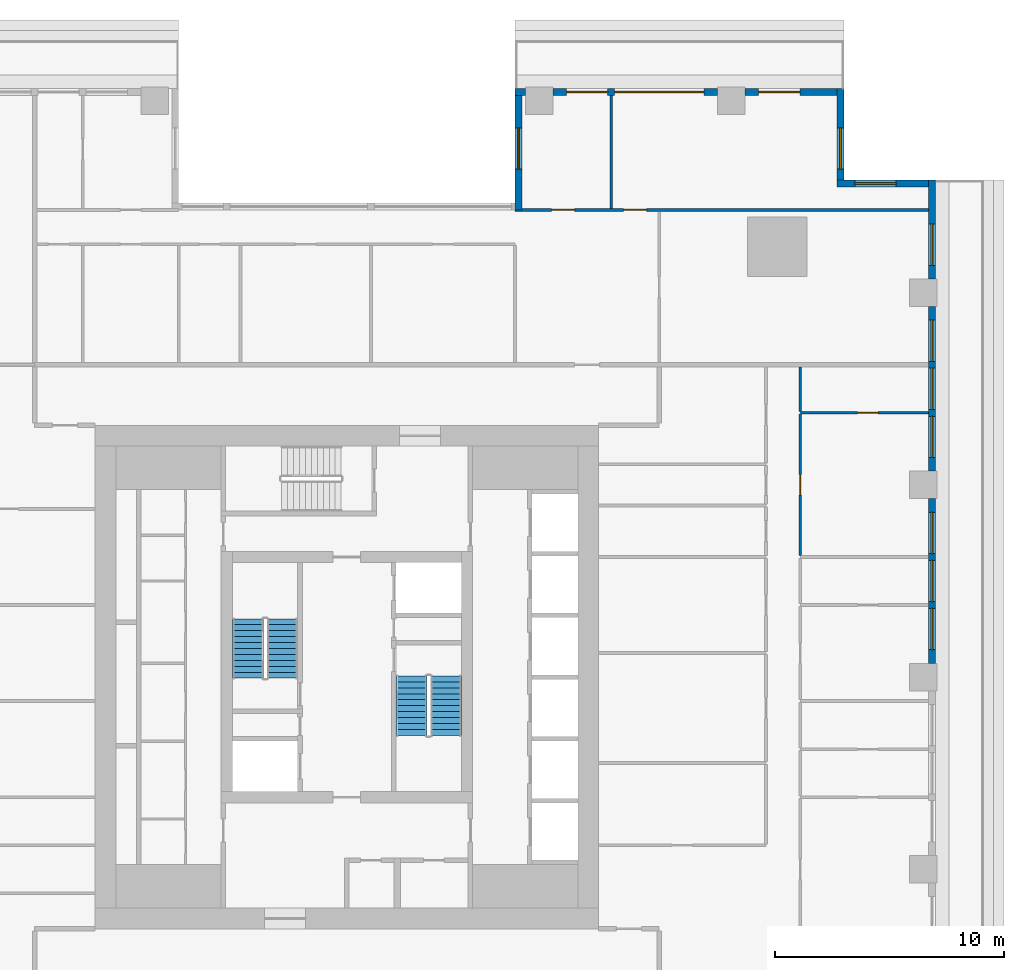
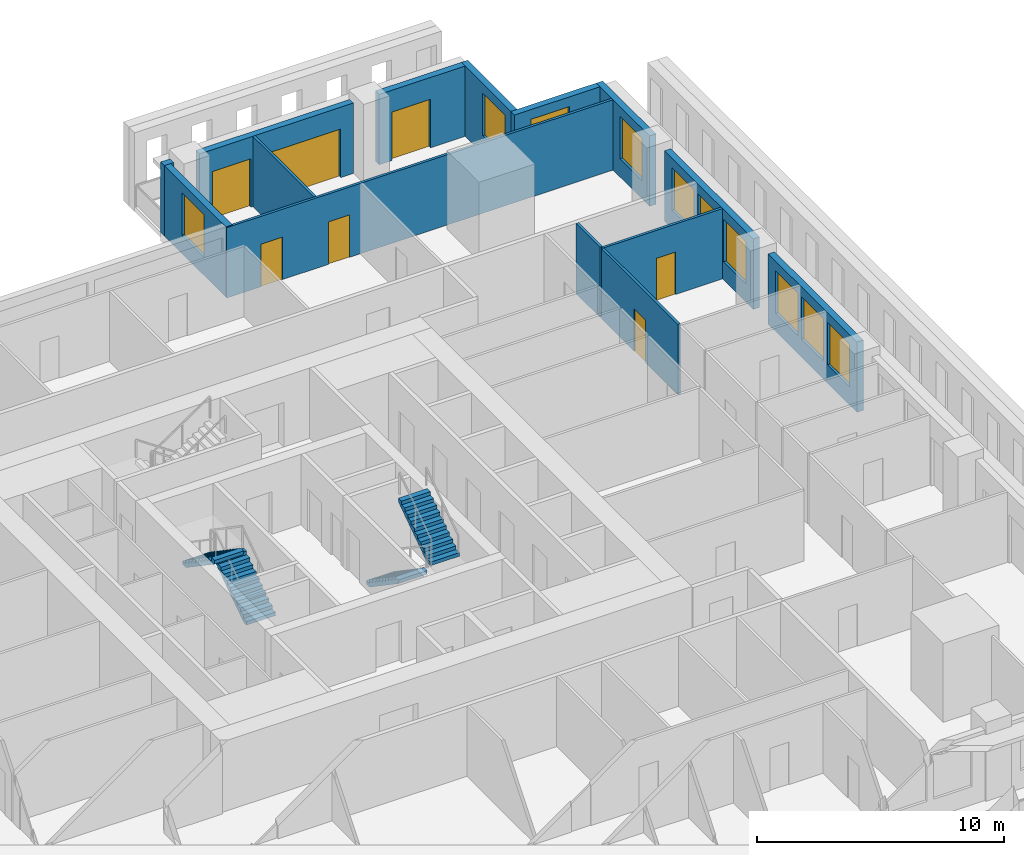
# One storey, part 9 of 16: 14 walls, 10 windows, 7 doors, 4 stair flights, 17 openings, 2 elements without a shape of their own.
"""IFC4 building model written with IfcOpenShell, lengths in metres."""

from ifc_helpers import new_model, si_unit, direction, frame, frame_2d, origin, place, context, subcontext, project, spatial, polyline, rectangle, outline, extrude, material, layer, layer_set, type_object, element, fill, aggregate, save


model = new_model("IFC4")

# Units and contexts
model_context = context("Model", 3, precision=1e-05, world=origin(), true_north=direction((0.0, 1.0)))
body_context = subcontext(model_context, "Body", "Model", "MODEL_VIEW")
ifc_project = project(units=[si_unit("LENGTHUNIT", "METRE"), si_unit("AREAUNIT", "SQUARE_METRE"), si_unit("VOLUMEUNIT", "CUBIC_METRE"), si_unit("PLANEANGLEUNIT", "RADIAN"), si_unit("MASSUNIT", "GRAM", prefix="KILO")], contexts=[model_context])

# Site, building, storey
site_placement = place(None, origin())
site = spatial("IfcSite", under=ifc_project, at=site_placement, CompositionType="ELEMENT")
building_placement = place(site_placement, origin())
building = spatial("IfcBuilding", under=site, at=building_placement, Name="Khepri Terraces", CompositionType="ELEMENT")
storey_placement = place(building_placement, frame((0.0, 0.0, 153.300048828125)))
storey = spatial("IfcBuildingStorey", under=building, at=storey_placement, Name="L36", CompositionType="ELEMENT", Elevation=153.300048828125)

# Wall, openings, windows
ifc_material_1 = material(Name="Precast concrete C50/60 warm stone", Category="masonry")
ifc_layer_1 = layer(ifc_material_1, 0.300048828125, Name="Precast concrete C50/60 warm stone", Category="masonry")
ifc_layer_set_1 = layer_set([ifc_layer_1], Name="Precast concrete C50/60 warm stone")
wall_type_1 = type_object("IfcWallType", Name="WL-EXT-PRECAST-300", PredefinedType="STANDARD", material=ifc_layer_set_1)
wall_1_placement = place(storey_placement, frame((25.570068359375, 0.60009765625, 0.0), z_axis=(0.0, 0.0, 1.0), x_axis=(0.0, 1.0, 0.0)))
wall_1 = element("IfcWall", 1, at=wall_1_placement, inside=storey, type_object=wall_type_1, Name="External wall L36 E", PredefinedType="STANDARD", context=body_context, shape_type="SweptSolid", body=[
    extrude(rectangle(XDim=7.199951171875, YDim=0.300048828125, at=frame_2d((3.60009765625, 0.0))), origin(), (0.0, 0.0, 1.0), 3.47998046875),
])
opening_1_placement = place(wall_1_placement, frame((0.60009765625, 0.0, 0.89990234375)))
opening_1 = element("IfcOpeningElement", 2, at=opening_1_placement, cuts=wall_1, Name="Opening W1", PredefinedType="OPENING", context=body_context, shape_type="SweptSolid", body=[
    extrude(rectangle(XDim=1.800048828125, YDim=2.10009765625, at=frame_2d((0.89990234375, 1.050048828125))), frame((0.0, 0.16015625, 0.0), z_axis=(0.0, -1.0, 0.0), x_axis=(1.0, 0.0, 0.0)), (0.0, 0.0, 1.0), 0.320068359375),
])
opening_2_placement = place(wall_1_placement, frame((2.699951171875, 0.0, 0.89990234375)))
opening_2 = element("IfcOpeningElement", 3, at=opening_2_placement, cuts=wall_1, Name="Opening W1", PredefinedType="OPENING", context=body_context, shape_type="SweptSolid", body=[
    extrude(rectangle(XDim=1.800048828125, YDim=2.10009765625, at=frame_2d((0.89990234375, 1.050048828125))), frame((0.0, 0.16015625, 0.0), z_axis=(0.0, -1.0, 0.0), x_axis=(1.0, 0.0, 0.0)), (0.0, 0.0, 1.0), 0.320068359375),
])
opening_3_placement = place(wall_1_placement, frame((4.800048828125, 0.0, 0.89990234375)))
opening_3 = element("IfcOpeningElement", 4, at=opening_3_placement, cuts=wall_1, Name="Opening W1", PredefinedType="OPENING", context=body_context, shape_type="SweptSolid", body=[
    extrude(rectangle(XDim=1.800048828125, YDim=2.10009765625, at=frame_2d((0.89990234375, 1.050048828125))), frame((0.0, 0.16015625, 0.0), z_axis=(0.0, -1.0, 0.0), x_axis=(1.0, 0.0, 0.0)), (0.0, 0.0, 1.0), 0.320068359375),
])
ifc_material_2 = material(Name="Clear glass", Category="glass")
window_type = type_object("IfcWindowType", Name="WIN-RES-1800x2100", PartitioningType="SINGLE_PANEL", PredefinedType="WINDOW", material=ifc_material_2)
window_1_placement = place(opening_1_placement, origin())
window_1 = element("IfcWindow", 5, at=window_1_placement, inside=storey, type_object=window_type, Name="Window L36 E", OverallHeight=2.10009765625, OverallWidth=1.800048828125, PartitioningType="SINGLE_PANEL", PredefinedType="WINDOW", context=body_context, shape_type="SweptSolid", body=[
    extrude(rectangle(XDim=1.800048828125, YDim=2.10009765625, at=frame_2d((0.89990234375, 1.050048828125))), frame((0.0, 0.030029296875, 0.0), z_axis=(0.0, -1.0, 0.0), x_axis=(1.0, 0.0, 0.0)), (0.0, 0.0, 1.0), 0.06005859375),
])
fill(opening_1, window_1)
window_2_placement = place(opening_2_placement, origin())
window_2 = element("IfcWindow", 6, at=window_2_placement, inside=storey, type_object=window_type, Name="Window L36 E", OverallHeight=2.10009765625, OverallWidth=1.800048828125, PartitioningType="SINGLE_PANEL", PredefinedType="WINDOW", context=body_context, shape_type="SweptSolid", body=[
    extrude(rectangle(XDim=1.800048828125, YDim=2.10009765625, at=frame_2d((0.89990234375, 1.050048828125))), frame((0.0, 0.030029296875, 0.0), z_axis=(0.0, -1.0, 0.0), x_axis=(1.0, 0.0, 0.0)), (0.0, 0.0, 1.0), 0.06005859375),
])
fill(opening_2, window_2)
window_3_placement = place(opening_3_placement, origin())
window_3 = element("IfcWindow", 7, at=window_3_placement, inside=storey, type_object=window_type, Name="Window L36 E", OverallHeight=2.10009765625, OverallWidth=1.800048828125, PartitioningType="SINGLE_PANEL", PredefinedType="WINDOW", context=body_context, shape_type="SweptSolid", body=[
    extrude(rectangle(XDim=1.800048828125, YDim=2.10009765625, at=frame_2d((0.89990234375, 1.050048828125))), frame((0.0, 0.030029296875, 0.0), z_axis=(0.0, -1.0, 0.0), x_axis=(1.0, 0.0, 0.0)), (0.0, 0.0, 1.0), 0.06005859375),
])
fill(opening_3, window_3)

wall_2_placement = place(storey_placement, frame((25.570068359375, 9.0, 0.0), z_axis=(0.0, 0.0, 1.0), x_axis=(0.0, 1.0, 0.0)))
wall_2 = element("IfcWall", 8, at=wall_2_placement, inside=storey, type_object=wall_type_1, Name="External wall L36 E", PredefinedType="STANDARD", context=body_context, shape_type="SweptSolid", body=[
    extrude(rectangle(XDim=7.199951171875, YDim=0.300048828125, at=frame_2d((3.60009765625, 0.0))), origin(), (0.0, 0.0, 1.0), 3.47998046875),
])
opening_4_placement = place(wall_2_placement, frame((0.60009765625, 0.0, 0.89990234375)))
opening_4 = element("IfcOpeningElement", 9, at=opening_4_placement, cuts=wall_2, Name="Opening W1", PredefinedType="OPENING", context=body_context, shape_type="SweptSolid", body=[
    extrude(rectangle(XDim=1.800048828125, YDim=2.10009765625, at=frame_2d((0.89990234375, 1.050048828125))), frame((0.0, 0.16015625, 0.0), z_axis=(0.0, -1.0, 0.0), x_axis=(1.0, 0.0, 0.0)), (0.0, 0.0, 1.0), 0.320068359375),
])
opening_5_placement = place(wall_2_placement, frame((2.699951171875, 0.0, 0.89990234375)))
opening_5 = element("IfcOpeningElement", 10, at=opening_5_placement, cuts=wall_2, Name="Opening W1", PredefinedType="OPENING", context=body_context, shape_type="SweptSolid", body=[
    extrude(rectangle(XDim=1.800048828125, YDim=2.10009765625, at=frame_2d((0.89990234375, 1.050048828125))), frame((0.0, 0.16015625, 0.0), z_axis=(0.0, -1.0, 0.0), x_axis=(1.0, 0.0, 0.0)), (0.0, 0.0, 1.0), 0.320068359375),
])
opening_6_placement = place(wall_2_placement, frame((4.800048828125, 0.0, 0.89990234375)))
opening_6 = element("IfcOpeningElement", 11, at=opening_6_placement, cuts=wall_2, Name="Opening W1", PredefinedType="OPENING", context=body_context, shape_type="SweptSolid", body=[
    extrude(rectangle(XDim=1.800048828125, YDim=2.10009765625, at=frame_2d((0.89990234375, 1.050048828125))), frame((0.0, 0.16015625, 0.0), z_axis=(0.0, -1.0, 0.0), x_axis=(1.0, 0.0, 0.0)), (0.0, 0.0, 1.0), 0.320068359375),
])
window_4_placement = place(opening_4_placement, origin())
window_4 = element("IfcWindow", 12, at=window_4_placement, inside=storey, type_object=window_type, Name="Window L36 E", OverallHeight=2.10009765625, OverallWidth=1.800048828125, PartitioningType="SINGLE_PANEL", PredefinedType="WINDOW", context=body_context, shape_type="SweptSolid", body=[
    extrude(rectangle(XDim=1.800048828125, YDim=2.10009765625, at=frame_2d((0.89990234375, 1.050048828125))), frame((0.0, 0.030029296875, 0.0), z_axis=(0.0, -1.0, 0.0), x_axis=(1.0, 0.0, 0.0)), (0.0, 0.0, 1.0), 0.06005859375),
])
fill(opening_4, window_4)
window_5_placement = place(opening_5_placement, origin())
window_5 = element("IfcWindow", 13, at=window_5_placement, inside=storey, type_object=window_type, Name="Window L36 E", OverallHeight=2.10009765625, OverallWidth=1.800048828125, PartitioningType="SINGLE_PANEL", PredefinedType="WINDOW", context=body_context, shape_type="SweptSolid", body=[
    extrude(rectangle(XDim=1.800048828125, YDim=2.10009765625, at=frame_2d((0.89990234375, 1.050048828125))), frame((0.0, 0.030029296875, 0.0), z_axis=(0.0, -1.0, 0.0), x_axis=(1.0, 0.0, 0.0)), (0.0, 0.0, 1.0), 0.06005859375),
])
fill(opening_5, window_5)
window_6_placement = place(opening_6_placement, origin())
window_6 = element("IfcWindow", 14, at=window_6_placement, inside=storey, type_object=window_type, Name="Window L36 E", OverallHeight=2.10009765625, OverallWidth=1.800048828125, PartitioningType="SINGLE_PANEL", PredefinedType="WINDOW", context=body_context, shape_type="SweptSolid", body=[
    extrude(rectangle(XDim=1.800048828125, YDim=2.10009765625, at=frame_2d((0.89990234375, 1.050048828125))), frame((0.0, 0.030029296875, 0.0), z_axis=(0.0, -1.0, 0.0), x_axis=(1.0, 0.0, 0.0)), (0.0, 0.0, 1.0), 0.06005859375),
])
fill(opening_6, window_6)

# Wall, opening, window
wall_3_placement = place(storey_placement, frame((25.570068359375, 17.39990234375, 0.0), z_axis=(0.0, 0.0, 1.0), x_axis=(0.0, 1.0, 0.0)))
wall_3 = element("IfcWall", 15, at=wall_3_placement, inside=storey, type_object=wall_type_1, Name="External wall L36 E", PredefinedType="STANDARD", context=body_context, shape_type="SweptSolid", body=[
    extrude(rectangle(XDim=4.320068359375, YDim=0.300048828125, at=frame_2d((2.16015625, 0.0))), origin(), (0.0, 0.0, 1.0), 3.47998046875),
])
opening_7_placement = place(wall_3_placement, frame((0.60009765625, 0.0, 0.89990234375)))
opening_7 = element("IfcOpeningElement", 16, at=opening_7_placement, cuts=wall_3, Name="Opening W1", PredefinedType="OPENING", context=body_context, shape_type="SweptSolid", body=[
    extrude(rectangle(XDim=1.800048828125, YDim=2.10009765625, at=frame_2d((0.89990234375, 1.050048828125))), frame((0.0, 0.16015625, 0.0), z_axis=(0.0, -1.0, 0.0), x_axis=(1.0, 0.0, 0.0)), (0.0, 0.0, 1.0), 0.320068359375),
])
window_7_placement = place(opening_7_placement, origin())
window_7 = element("IfcWindow", 17, at=window_7_placement, inside=storey, type_object=window_type, Name="Window L36 E", OverallHeight=2.10009765625, OverallWidth=1.800048828125, PartitioningType="SINGLE_PANEL", PredefinedType="WINDOW", context=body_context, shape_type="SweptSolid", body=[
    extrude(rectangle(XDim=1.800048828125, YDim=2.10009765625, at=frame_2d((0.89990234375, 1.050048828125))), frame((0.0, 0.030029296875, 0.0), z_axis=(0.0, -1.0, 0.0), x_axis=(1.0, 0.0, 0.0)), (0.0, 0.0, 1.0), 0.06005859375),
])
fill(opening_7, window_7)

wall_4_placement = place(storey_placement, frame((25.419921875, 21.570068359375, 0.0), z_axis=(0.0, 0.0, 1.0), x_axis=(-1.0, 0.0, 0.0)))
wall_4 = element("IfcWall", 18, at=wall_4_placement, inside=storey, type_object=wall_type_1, Name="External wall L36 N", PredefinedType="STANDARD", context=body_context, shape_type="SweptSolid", body=[
    extrude(rectangle(XDim=4.0, YDim=0.300048828125, at=frame_2d((2.0, 0.0))), origin(), (0.0, 0.0, 1.0), 3.47998046875),
])
opening_8_placement = place(wall_4_placement, frame((1.419921875, 0.0, 0.89990234375)))
opening_8 = element("IfcOpeningElement", 19, at=opening_8_placement, cuts=wall_4, Name="Opening W1", PredefinedType="OPENING", context=body_context, shape_type="SweptSolid", body=[
    extrude(rectangle(XDim=1.800048828125, YDim=2.10009765625, at=frame_2d((0.89990234375, 1.050048828125))), frame((0.0, 0.16015625, 0.0), z_axis=(0.0, -1.0, 0.0), x_axis=(1.0, 0.0, 0.0)), (0.0, 0.0, 1.0), 0.320068359375),
])
window_8_placement = place(opening_8_placement, origin())
window_8 = element("IfcWindow", 20, at=window_8_placement, inside=storey, type_object=window_type, Name="Window L36 N", OverallHeight=2.10009765625, OverallWidth=1.800048828125, PartitioningType="SINGLE_PANEL", PredefinedType="WINDOW", context=body_context, shape_type="SweptSolid", body=[
    extrude(rectangle(XDim=1.800048828125, YDim=2.10009765625, at=frame_2d((0.89990234375, 1.050048828125))), frame((0.0, 0.030029296875, 0.0), z_axis=(0.0, -1.0, 0.0), x_axis=(1.0, 0.0, 0.0)), (0.0, 0.0, 1.0), 0.06005859375),
])
fill(opening_8, window_8)

wall_5_placement = place(storey_placement, frame((21.570068359375, 21.719970703125, 0.0), z_axis=(0.0, 0.0, 1.0), x_axis=(0.0, 1.0, 0.0)))
wall_5 = element("IfcWall", 21, at=wall_5_placement, inside=storey, type_object=wall_type_1, Name="External wall L36 E", PredefinedType="STANDARD", context=body_context, shape_type="SweptSolid", body=[
    extrude(rectangle(XDim=4.0, YDim=0.300048828125, at=frame_2d((2.0, 0.0))), origin(), (0.0, 0.0, 1.0), 3.47998046875),
])
opening_9_placement = place(wall_5_placement, frame((0.47998046875, 0.0, 0.89990234375)))
opening_9 = element("IfcOpeningElement", 22, at=opening_9_placement, cuts=wall_5, Name="Opening W1", PredefinedType="OPENING", context=body_context, shape_type="SweptSolid", body=[
    extrude(rectangle(XDim=1.800048828125, YDim=2.10009765625, at=frame_2d((0.89990234375, 1.050048828125))), frame((0.0, 0.16015625, 0.0), z_axis=(0.0, -1.0, 0.0), x_axis=(1.0, 0.0, 0.0)), (0.0, 0.0, 1.0), 0.320068359375),
])
window_9_placement = place(opening_9_placement, origin())
window_9 = element("IfcWindow", 23, at=window_9_placement, inside=storey, type_object=window_type, Name="Window L36 E", OverallHeight=2.10009765625, OverallWidth=1.800048828125, PartitioningType="SINGLE_PANEL", PredefinedType="WINDOW", context=body_context, shape_type="SweptSolid", body=[
    extrude(rectangle(XDim=1.800048828125, YDim=2.10009765625, at=frame_2d((0.89990234375, 1.050048828125))), frame((0.0, 0.030029296875, 0.0), z_axis=(0.0, -1.0, 0.0), x_axis=(1.0, 0.0, 0.0)), (0.0, 0.0, 1.0), 0.06005859375),
])
fill(opening_9, window_9)

# Wall, opening, door
wall_6_placement = place(storey_placement, frame((21.419921875, 25.570068359375, 0.0), z_axis=(0.0, 0.0, 1.0), x_axis=(-1.0, 0.0, 0.0)))
wall_6 = element("IfcWall", 24, at=wall_6_placement, inside=storey, type_object=wall_type_1, Name="External wall L36 N", PredefinedType="STANDARD", context=body_context, shape_type="SweptSolid", body=[
    extrude(rectangle(XDim=4.02001953125, YDim=0.300048828125, at=frame_2d((2.010009765625, 0.0))), origin(), (0.0, 0.0, 1.0), 3.47998046875),
])
opening_10_placement = place(wall_6_placement, frame((1.6201171875, 0.0, 0.0)))
opening_10 = element("IfcOpeningElement", 25, at=opening_10_placement, cuts=wall_6, Name="Opening ED-L36-05", PredefinedType="OPENING", context=body_context, shape_type="SweptSolid", body=[
    extrude(rectangle(XDim=1.800048828125, YDim=2.39990234375, at=frame_2d((0.89990234375, 1.199951171875))), frame((0.0, 0.16015625, 0.0), z_axis=(0.0, -1.0, 0.0), x_axis=(1.0, 0.0, 0.0)), (0.0, 0.0, 1.0), 0.320068359375),
])
ifc_material_3 = material(Name="Anodised aluminium bronze glazed door", Category="aluminium")
door_type_1 = type_object("IfcDoorType", Name="DR-BAL-SLIDE-1800x2400", OperationType="NOTDEFINED", PredefinedType="DOOR", material=ifc_material_3)
door_1_placement = place(opening_10_placement, origin())
door_1 = element("IfcDoor", 26, at=door_1_placement, inside=storey, type_object=door_type_1, Name="Balcony door L36 N", OperationType="SLIDING_TO_RIGHT", OverallHeight=2.39990234375, OverallWidth=1.800048828125, PredefinedType="DOOR", context=body_context, shape_type="SweptSolid", body=[
    extrude(rectangle(XDim=1.800048828125, YDim=2.39990234375, at=frame_2d((0.89990234375, 1.199951171875))), frame((0.0, 0.02490234375, 0.0), z_axis=(0.0, -1.0, 0.0), x_axis=(1.0, 0.0, 0.0)), (0.0, 0.0, 1.0), 0.050048828125),
])
fill(opening_10, door_1)

# Wall, openings, doors
wall_7_placement = place(storey_placement, frame((16.199951171875, 25.570068359375, 0.0), z_axis=(0.0, 0.0, 1.0), x_axis=(-1.0, 0.0, 0.0)))
wall_7 = element("IfcWall", 27, at=wall_7_placement, inside=storey, type_object=wall_type_1, Name="External wall L36 N", PredefinedType="STANDARD", context=body_context, shape_type="SweptSolid", body=[
    extrude(rectangle(XDim=7.199951171875, YDim=0.300048828125, at=frame_2d((3.60009765625, 0.0))), origin(), (0.0, 0.0, 1.0), 3.47998046875),
])
opening_11_placement = place(wall_7_placement, frame((0.60009765625, 0.0, 0.0)))
opening_11 = element("IfcOpeningElement", 28, at=opening_11_placement, cuts=wall_7, Name="Opening ED-L36-06", PredefinedType="OPENING", context=body_context, shape_type="SweptSolid", body=[
    extrude(rectangle(XDim=3.89990234375, YDim=2.39990234375, at=frame_2d((1.949951171875, 1.199951171875))), frame((0.0, 0.16015625, 0.0), z_axis=(0.0, -1.0, 0.0), x_axis=(1.0, 0.0, 0.0)), (0.0, 0.0, 1.0), 0.320068359375),
])
opening_12_placement = place(wall_7_placement, frame((4.800048828125, 0.0, 0.0)))
opening_12 = element("IfcOpeningElement", 29, at=opening_12_placement, cuts=wall_7, Name="Opening ED-L36-07", PredefinedType="OPENING", context=body_context, shape_type="SweptSolid", body=[
    extrude(rectangle(XDim=1.800048828125, YDim=2.39990234375, at=frame_2d((0.89990234375, 1.199951171875))), frame((0.0, 0.16015625, 0.0), z_axis=(0.0, -1.0, 0.0), x_axis=(1.0, 0.0, 0.0)), (0.0, 0.0, 1.0), 0.320068359375),
])
door_2_placement = place(opening_12_placement, origin())
door_2 = element("IfcDoor", 30, at=door_2_placement, inside=storey, type_object=door_type_1, Name="Balcony door L36 N", OperationType="SLIDING_TO_RIGHT", OverallHeight=2.39990234375, OverallWidth=1.800048828125, PredefinedType="DOOR", context=body_context, shape_type="SweptSolid", body=[
    extrude(rectangle(XDim=1.800048828125, YDim=2.39990234375, at=frame_2d((0.89990234375, 1.199951171875))), frame((0.0, 0.02490234375, 0.0), z_axis=(0.0, -1.0, 0.0), x_axis=(1.0, 0.0, 0.0)), (0.0, 0.0, 1.0), 0.050048828125),
])
fill(opening_12, door_2)
door_type_2 = type_object("IfcDoorType", Name="DR-BAL-SLIDE-3900x2400", OperationType="NOTDEFINED", PredefinedType="DOOR", material=ifc_material_3)
door_3_placement = place(opening_11_placement, origin())
door_3 = element("IfcDoor", 31, at=door_3_placement, inside=storey, type_object=door_type_2, Name="Balcony door L36 N", OperationType="SLIDING_TO_LEFT", OverallHeight=2.39990234375, OverallWidth=3.89990234375, PredefinedType="DOOR", context=body_context, shape_type="SweptSolid", body=[
    extrude(rectangle(XDim=3.89990234375, YDim=2.39990234375, at=frame_2d((1.949951171875, 1.199951171875))), frame((0.0, 0.02490234375, 0.0), z_axis=(0.0, -1.0, 0.0), x_axis=(1.0, 0.0, 0.0)), (0.0, 0.0, 1.0), 0.050048828125),
])
fill(opening_11, door_3)

# Wall
wall_8_placement = place(storey_placement, frame((7.800048828125, 25.570068359375, 0.0), z_axis=(0.0, 0.0, 1.0), x_axis=(-1.0, 0.0, 0.0)))
element("IfcWall", 32, at=wall_8_placement, inside=storey, type_object=wall_type_1, Name="External wall L36 N", PredefinedType="STANDARD", context=body_context, shape_type="SweptSolid", body=[
    extrude(rectangle(XDim=0.449951171875, YDim=0.300048828125, at=frame_2d((0.22509765625, 0.0))), origin(), (0.0, 0.0, 1.0), 3.47998046875),
])

# Wall, opening, window
wall_9_placement = place(storey_placement, frame((7.5, 25.419921875, 0.0), z_axis=(0.0, 0.0, 1.0), x_axis=(0.0, -1.0, 0.0)))
wall_9 = element("IfcWall", 33, at=wall_9_placement, inside=storey, type_object=wall_type_1, Name="External wall L36 W", PredefinedType="STANDARD", context=body_context, shape_type="SweptSolid", body=[
    extrude(rectangle(XDim=5.0, YDim=0.300048828125, at=frame_2d((2.5, 0.0))), origin(), (0.0, 0.0, 1.0), 3.47998046875),
])
opening_13_placement = place(wall_9_placement, frame((1.419921875, 0.0, 0.89990234375)))
opening_13 = element("IfcOpeningElement", 34, at=opening_13_placement, cuts=wall_9, Name="Opening W1", PredefinedType="OPENING", context=body_context, shape_type="SweptSolid", body=[
    extrude(rectangle(XDim=1.800048828125, YDim=2.10009765625, at=frame_2d((0.89990234375, 1.050048828125))), frame((0.0, 0.16015625, 0.0), z_axis=(0.0, -1.0, 0.0), x_axis=(1.0, 0.0, 0.0)), (0.0, 0.0, 1.0), 0.320068359375),
])
window_10_placement = place(opening_13_placement, origin())
window_10 = element("IfcWindow", 35, at=window_10_placement, inside=storey, type_object=window_type, Name="Window L36 W", OverallHeight=2.10009765625, OverallWidth=1.800048828125, PartitioningType="SINGLE_PANEL", PredefinedType="WINDOW", context=body_context, shape_type="SweptSolid", body=[
    extrude(rectangle(XDim=1.800048828125, YDim=2.10009765625, at=frame_2d((0.89990234375, 1.050048828125))), frame((0.0, 0.030029296875, 0.0), z_axis=(0.0, -1.0, 0.0), x_axis=(1.0, 0.0, 0.0)), (0.0, 0.0, 1.0), 0.06005859375),
])
fill(opening_13, window_10)

# Wall, opening, door
ifc_material_4 = material(Name="Gypsum plasterboard partition")
ifc_layer_2 = layer(ifc_material_4, 0.1201171875, Name="Gypsum plasterboard partition")
ifc_layer_set_2 = layer_set([ifc_layer_2], Name="Gypsum plasterboard partition")
wall_type_2 = type_object("IfcWallType", Name="WL-PART-120", PredefinedType="PARTITIONING", material=ifc_layer_set_2)
wall_10_placement = place(storey_placement, frame((19.820068359375, 5.31005859375, 0.0), z_axis=(0.0, 0.0, 1.0), x_axis=(0.0, 1.0, 0.0)))
wall_10 = element("IfcWall", 36, at=wall_10_placement, inside=storey, type_object=wall_type_2, Name="Partition P-069 L36", PredefinedType="PARTITIONING", context=body_context, shape_type="SweptSolid", body=[
    extrude(rectangle(XDim=6.179931640625, YDim=0.1201171875, at=frame_2d((3.08984375, 0.0))), origin(), (0.0, 0.0, 1.0), 3.47998046875),
])
opening_14_placement = place(wall_10_placement, frame((2.639892578125, 0.0, 0.0)))
opening_14 = element("IfcOpeningElement", 37, at=opening_14_placement, cuts=wall_10, Name="Opening D3", PredefinedType="OPENING", context=body_context, shape_type="SweptSolid", body=[
    extrude(rectangle(XDim=0.89990234375, YDim=2.10009765625, at=frame_2d((0.449951171875, 1.050048828125))), frame((0.0, 0.070068359375, 0.0), z_axis=(0.0, -1.0, 0.0), x_axis=(1.0, 0.0, 0.0)), (0.0, 0.0, 1.0), 0.14013671875),
])
ifc_material_5 = material(Name="Timber door leaf", Category="wood")
door_type_3 = type_object("IfcDoorType", Name="DR-INT-900", OperationType="NOTDEFINED", PredefinedType="DOOR", material=ifc_material_5)
door_4_placement = place(opening_14_placement, frame((0.89990234375, 0.0, 0.0), z_axis=(0.0, 0.0, 1.0), x_axis=(-1.0, 0.0, 0.0)))
door_4 = element("IfcDoor", 38, at=door_4_placement, inside=storey, type_object=door_type_3, Name="Door Bedroom", OperationType="SINGLE_SWING_LEFT", OverallHeight=2.10009765625, OverallWidth=0.89990234375, PredefinedType="DOOR", context=body_context, shape_type="SweptSolid", body=[
    extrude(rectangle(XDim=0.89990234375, YDim=2.10009765625, at=frame_2d((0.449951171875, 1.050048828125))), frame((0.0, 0.02490234375, 0.0), z_axis=(0.0, -1.0, 0.0), x_axis=(1.0, 0.0, 0.0)), (0.0, 0.0, 1.0), 0.050048828125),
])
fill(opening_14, door_4)

wall_11_placement = place(storey_placement, frame((19.820068359375, 11.550048828125, 0.0), z_axis=(0.0, 0.0, 1.0), x_axis=(1.0, 0.0, 0.0)))
wall_11 = element("IfcWall", 39, at=wall_11_placement, inside=storey, type_object=wall_type_2, Name="Partition P-080 L36", PredefinedType="PARTITIONING", context=body_context, shape_type="SweptSolid", body=[
    extrude(rectangle(XDim=5.599853515625, YDim=0.1201171875, at=frame_2d((2.7998046875, 0.0))), origin(), (0.0, 0.0, 1.0), 3.47998046875),
])
opening_15_placement = place(wall_11_placement, frame((2.5, 0.0, 0.0)))
opening_15 = element("IfcOpeningElement", 40, at=opening_15_placement, cuts=wall_11, Name="Opening D4", PredefinedType="OPENING", context=body_context, shape_type="SweptSolid", body=[
    extrude(rectangle(XDim=0.89990234375, YDim=2.10009765625, at=frame_2d((0.449951171875, 1.050048828125))), frame((0.0, 0.070068359375, 0.0), z_axis=(0.0, -1.0, 0.0), x_axis=(1.0, 0.0, 0.0)), (0.0, 0.0, 1.0), 0.14013671875),
])
ifc_material_6 = material(Name="Timber door leaf, moisture resistant", Category="wood")
door_type_4 = type_object("IfcDoorType", Name="DR-WET-900", OperationType="NOTDEFINED", PredefinedType="DOOR", material=ifc_material_6)
door_5_placement = place(opening_15_placement, origin())
door_5 = element("IfcDoor", 41, at=door_5_placement, inside=storey, type_object=door_type_4, Name="Door Bathroom", OperationType="SINGLE_SWING_RIGHT", OverallHeight=2.10009765625, OverallWidth=0.89990234375, PredefinedType="DOOR", context=body_context, shape_type="SweptSolid", body=[
    extrude(rectangle(XDim=0.89990234375, YDim=2.10009765625, at=frame_2d((0.449951171875, 1.050048828125))), frame((0.0, 0.02490234375, 0.0), z_axis=(0.0, -1.0, 0.0), x_axis=(1.0, 0.0, 0.0)), (0.0, 0.0, 1.0), 0.050048828125),
])
fill(opening_15, door_5)

# Wall
wall_12_placement = place(storey_placement, frame((19.820068359375, 11.610107421875, 0.0), z_axis=(0.0, 0.0, 1.0), x_axis=(0.0, 1.0, 0.0)))
element("IfcWall", 42, at=wall_12_placement, inside=storey, type_object=wall_type_2, Name="Partition P-082 L36", PredefinedType="PARTITIONING", context=body_context, shape_type="SweptSolid", body=[
    extrude(rectangle(XDim=1.93994140625, YDim=0.1201171875, at=frame_2d((0.969970703125, 0.0))), origin(), (0.0, 0.0, 1.0), 3.47998046875),
])

# Wall, openings, doors
wall_13_placement = place(storey_placement, frame((7.35009765625, 20.419921875, 0.0), z_axis=(0.0, 0.0, 1.0), x_axis=(1.0, 0.0, 0.0)))
wall_13 = element("IfcWall", 43, at=wall_13_placement, inside=storey, type_object=wall_type_2, Name="Partition P-095 L36", PredefinedType="PARTITIONING", context=body_context, shape_type="SweptSolid", body=[
    extrude(rectangle(XDim=18.06982421875, YDim=0.1201171875, at=frame_2d((9.034912109375, 0.0))), origin(), (0.0, 0.0, 1.0), 3.47998046875),
])
opening_16_placement = place(wall_13_placement, frame((4.75, 0.0, 0.0)))
opening_16 = element("IfcOpeningElement", 44, at=opening_16_placement, cuts=wall_13, Name="Opening D2", PredefinedType="OPENING", context=body_context, shape_type="SweptSolid", body=[
    extrude(rectangle(XDim=1.0, YDim=2.10009765625, at=frame_2d((0.5, 1.050048828125))), frame((0.0, 0.070068359375, 0.0), z_axis=(0.0, -1.0, 0.0), x_axis=(1.0, 0.0, 0.0)), (0.0, 0.0, 1.0), 0.14013671875),
])
opening_17_placement = place(wall_13_placement, frame((1.60009765625, 0.0, 0.0)))
opening_17 = element("IfcOpeningElement", 45, at=opening_17_placement, cuts=wall_13, Name="Opening D2", PredefinedType="OPENING", context=body_context, shape_type="SweptSolid", body=[
    extrude(rectangle(XDim=1.0, YDim=2.10009765625, at=frame_2d((0.5, 1.050048828125))), frame((0.0, 0.070068359375, 0.0), z_axis=(0.0, -1.0, 0.0), x_axis=(1.0, 0.0, 0.0)), (0.0, 0.0, 1.0), 0.14013671875),
])
ifc_material_7 = material(Name="Timber door leaf, living room door", Category="wood")
door_type_5 = type_object("IfcDoorType", Name="DR-INT-1000", OperationType="NOTDEFINED", PredefinedType="DOOR", material=ifc_material_7)
door_6_placement = place(opening_16_placement, origin())
door_6 = element("IfcDoor", 46, at=door_6_placement, inside=storey, type_object=door_type_5, Name="Door Living Room", OperationType="SINGLE_SWING_LEFT", OverallHeight=2.10009765625, OverallWidth=1.0, PredefinedType="DOOR", context=body_context, shape_type="SweptSolid", body=[
    extrude(rectangle(XDim=1.0, YDim=2.10009765625, at=frame_2d((0.5, 1.050048828125))), frame((0.0, 0.02490234375, 0.0), z_axis=(0.0, -1.0, 0.0), x_axis=(1.0, 0.0, 0.0)), (0.0, 0.0, 1.0), 0.050048828125),
])
fill(opening_16, door_6)
door_7_placement = place(opening_17_placement, origin())
door_7 = element("IfcDoor", 47, at=door_7_placement, inside=storey, type_object=door_type_5, Name="Door Sun Lounge", OperationType="SINGLE_SWING_LEFT", OverallHeight=2.10009765625, OverallWidth=1.0, PredefinedType="DOOR", context=body_context, shape_type="SweptSolid", body=[
    extrude(rectangle(XDim=1.0, YDim=2.10009765625, at=frame_2d((0.5, 1.050048828125))), frame((0.0, 0.02490234375, 0.0), z_axis=(0.0, -1.0, 0.0), x_axis=(1.0, 0.0, 0.0)), (0.0, 0.0, 1.0), 0.050048828125),
])
fill(opening_17, door_7)

# Wall
wall_14_placement = place(storey_placement, frame((11.550048828125, 20.47998046875, 0.0), z_axis=(0.0, 0.0, 1.0), x_axis=(0.0, 1.0, 0.0)))
element("IfcWall", 48, at=wall_14_placement, inside=storey, type_object=wall_type_2, Name="Partition P-099 L36", PredefinedType="PARTITIONING", context=body_context, shape_type="SweptSolid", body=[
    extrude(rectangle(XDim=4.93994140625, YDim=0.1201171875, at=frame_2d((2.469970703125, 0.0))), origin(), (0.0, 0.0, 1.0), 3.47998046875),
])

# Stair, stair flights
ifc_material_8 = material(Name="Concrete C40/50", Category="concrete")
stair_type = type_object("IfcStairType", Name="STAIR-RC-22R", PredefinedType="HALF_TURN_STAIR", material=ifc_material_8)
stair_1_placement = place(storey_placement, origin())
stair_1 = element("IfcStair", 49, at=stair_1_placement, inside=storey, type_object=stair_type, Name="L36 Exit Stair ST-1", PredefinedType="HALF_TURN_STAIR")
stair_flight_type = type_object("IfcStairFlightType", Name="SFL-RC-177.3", PredefinedType="STRAIGHT", material=ifc_material_8)
stair_flight_1_placement = place(storey_placement, frame((-2.824951171875, -0.050048828125, 0.0), z_axis=(0.0, 0.0, 1.0), x_axis=(0.0, 1.0, 0.0)))
stair_flight_1 = element("IfcStairFlight", 50, at=stair_flight_1_placement, type_object=stair_flight_type, Name="ST-1 flight 1", NumberOfRisers=11, NumberOfTreads=10, PredefinedType="STRAIGHT", RiserHeight=0.177272727, TreadLength=0.26, context=body_context, shape_type="SweptSolid", body=[
    extrude(outline(polyline([(0.0, 0.0), (0.0, 0.17724609375), (0.260009765625, 0.17724609375), (0.260009765625, 0.3544921875), (0.52001953125, 0.3544921875), (0.52001953125, 0.53173828125), (0.780029296875, 0.53173828125), (0.780029296875, 0.708984375), (1.0400390625, 0.708984375), (1.0400390625, 0.886474609375), (1.300048828125, 0.886474609375), (1.300048828125, 1.063720703125), (1.56005859375, 1.063720703125), (1.56005859375, 1.240966796875), (1.820068359375, 1.240966796875), (1.820068359375, 1.418212890625), (2.080078125, 1.418212890625), (2.080078125, 1.595458984375), (2.340087890625, 1.595458984375), (2.340087890625, 1.772705078125), (2.60009765625, 1.772705078125), (2.60009765625, 1.949951171875), (2.60009765625, 1.59130859375), (0.26611328125, 0.0), (0.0, 0.0)])), frame((0.0, 0.675048828125, 0.0), z_axis=(0.0, -1.0, 0.0), x_axis=(1.0, 0.0, 0.0)), (0.0, 0.0, 1.0), 1.35009765625),
])
stair_flight_2_placement = place(storey_placement, frame((-4.324951171875, 2.550048828125, 1.949951171875), z_axis=(0.0, 0.0, 1.0), x_axis=(0.0, -1.0, 0.0)))
stair_flight_2 = element("IfcStairFlight", 51, at=stair_flight_2_placement, type_object=stair_flight_type, Name="ST-1 flight 2", NumberOfRisers=11, NumberOfTreads=10, PredefinedType="STRAIGHT", RiserHeight=0.177272727, TreadLength=0.26, context=body_context, shape_type="SweptSolid", body=[
    extrude(outline(polyline([(0.0, 0.0), (0.0, 0.17724609375), (0.260009765625, 0.17724609375), (0.260009765625, 0.3544921875), (0.52001953125, 0.3544921875), (0.52001953125, 0.53173828125), (0.780029296875, 0.53173828125), (0.780029296875, 0.708984375), (1.0400390625, 0.708984375), (1.0400390625, 0.886474609375), (1.300048828125, 0.886474609375), (1.300048828125, 1.063720703125), (1.56005859375, 1.063720703125), (1.56005859375, 1.240966796875), (1.820068359375, 1.240966796875), (1.820068359375, 1.418212890625), (2.080078125, 1.418212890625), (2.080078125, 1.595458984375), (2.340087890625, 1.595458984375), (2.340087890625, 1.772705078125), (2.60009765625, 1.772705078125), (2.60009765625, 1.949951171875), (2.60009765625, 1.59130859375), (0.26611328125, 0.0), (0.0, 0.0)])), frame((0.0, 0.675048828125, 0.0), z_axis=(0.0, -1.0, 0.0), x_axis=(1.0, 0.0, 0.0)), (0.0, 0.0, 1.0), 1.35009765625),
])
aggregate(stair_1, [stair_flight_1, stair_flight_2])

stair_2_placement = place(storey_placement, origin())
stair_2 = element("IfcStair", 52, at=stair_2_placement, inside=storey, type_object=stair_type, Name="L36 Exit Stair ST-2", PredefinedType="HALF_TURN_STAIR")
stair_flight_3_placement = place(storey_placement, frame((2.824951171875, 0.050048828125, 0.0), z_axis=(0.0, 0.0, 1.0), x_axis=(0.0, -1.0, 0.0)))
stair_flight_3 = element("IfcStairFlight", 53, at=stair_flight_3_placement, type_object=stair_flight_type, Name="ST-2 flight 1", NumberOfRisers=11, NumberOfTreads=10, PredefinedType="STRAIGHT", RiserHeight=0.177272727, TreadLength=0.26, context=body_context, shape_type="SweptSolid", body=[
    extrude(outline(polyline([(0.0, 0.0), (0.0, 0.17724609375), (0.260009765625, 0.17724609375), (0.260009765625, 0.3544921875), (0.52001953125, 0.3544921875), (0.52001953125, 0.53173828125), (0.780029296875, 0.53173828125), (0.780029296875, 0.708984375), (1.0400390625, 0.708984375), (1.0400390625, 0.886474609375), (1.300048828125, 0.886474609375), (1.300048828125, 1.063720703125), (1.56005859375, 1.063720703125), (1.56005859375, 1.240966796875), (1.820068359375, 1.240966796875), (1.820068359375, 1.418212890625), (2.080078125, 1.418212890625), (2.080078125, 1.595458984375), (2.340087890625, 1.595458984375), (2.340087890625, 1.772705078125), (2.60009765625, 1.772705078125), (2.60009765625, 1.949951171875), (2.60009765625, 1.59130859375), (0.26611328125, 0.0), (0.0, 0.0)])), frame((0.0, 0.675048828125, 0.0), z_axis=(0.0, -1.0, 0.0), x_axis=(1.0, 0.0, 0.0)), (0.0, 0.0, 1.0), 1.35009765625),
])
stair_flight_4_placement = place(storey_placement, frame((4.324951171875, -2.550048828125, 1.949951171875), z_axis=(0.0, 0.0, 1.0), x_axis=(0.0, 1.0, 0.0)))
stair_flight_4 = element("IfcStairFlight", 54, at=stair_flight_4_placement, type_object=stair_flight_type, Name="ST-2 flight 2", NumberOfRisers=11, NumberOfTreads=10, PredefinedType="STRAIGHT", RiserHeight=0.177272727, TreadLength=0.26, context=body_context, shape_type="SweptSolid", body=[
    extrude(outline(polyline([(0.0, 0.0), (0.0, 0.17724609375), (0.260009765625, 0.17724609375), (0.260009765625, 0.3544921875), (0.52001953125, 0.3544921875), (0.52001953125, 0.53173828125), (0.780029296875, 0.53173828125), (0.780029296875, 0.708984375), (1.0400390625, 0.708984375), (1.0400390625, 0.886474609375), (1.300048828125, 0.886474609375), (1.300048828125, 1.063720703125), (1.56005859375, 1.063720703125), (1.56005859375, 1.240966796875), (1.820068359375, 1.240966796875), (1.820068359375, 1.418212890625), (2.080078125, 1.418212890625), (2.080078125, 1.595458984375), (2.340087890625, 1.595458984375), (2.340087890625, 1.772705078125), (2.60009765625, 1.772705078125), (2.60009765625, 1.949951171875), (2.60009765625, 1.59130859375), (0.26611328125, 0.0), (0.0, 0.0)])), frame((0.0, 0.675048828125, 0.0), z_axis=(0.0, -1.0, 0.0), x_axis=(1.0, 0.0, 0.0)), (0.0, 0.0, 1.0), 1.35009765625),
])
aggregate(stair_2, [stair_flight_3, stair_flight_4])

save(model, "model.ifc")
